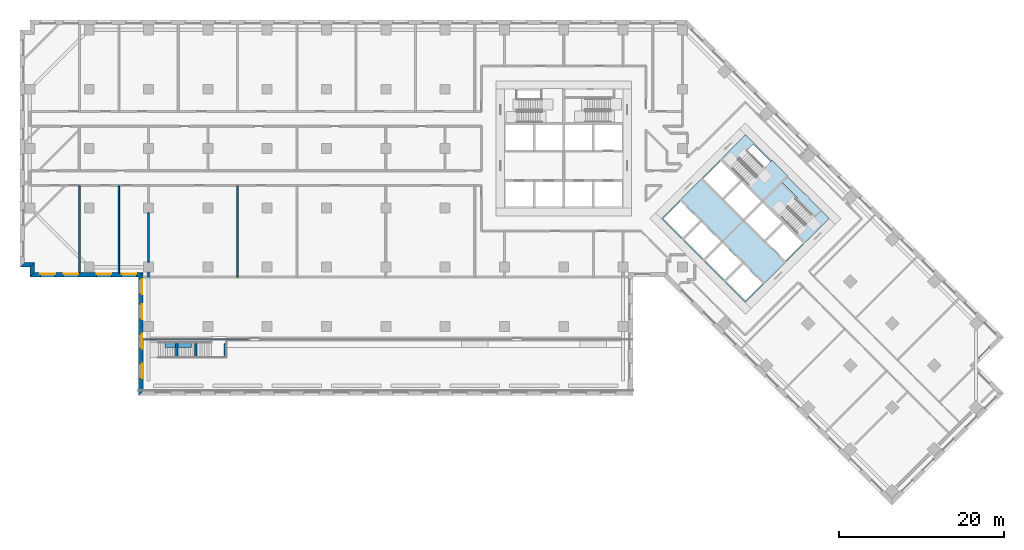
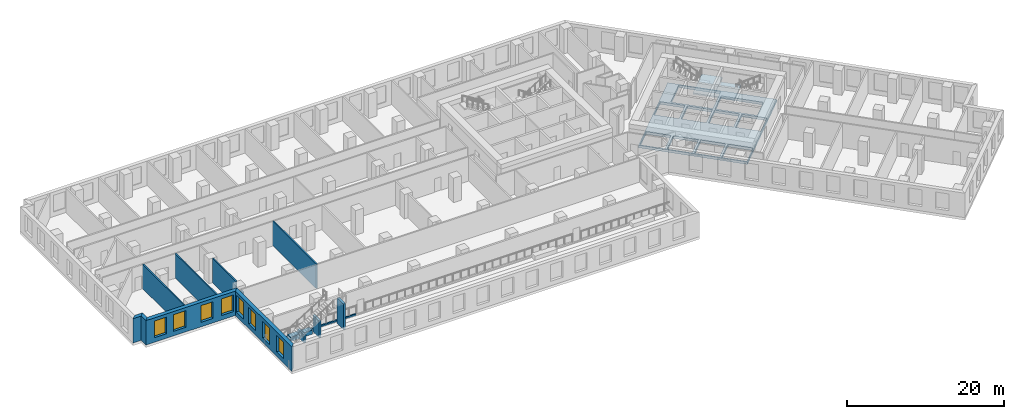
# One storey, part 2 of 13: 14 walls, 8 windows, 3 slabs, 18 openings, 2 elements without a shape of their own.
"""IFC4 building model written with IfcOpenShell, lengths in metres."""

from ifc_helpers import new_model, si_unit, direction, frame, frame_2d, origin, place, context, subcontext, project, spatial, polyline, rectangle, outline, extrude, material, layer, layer_set, type_object, element, fill, aggregate, save


model = new_model("IFC4")

# Units and contexts
model_context = context("Model", 3, precision=1e-05, world=origin(), true_north=direction((0.0, 1.0)))
body_context = subcontext(model_context, "Body", "Model", "MODEL_VIEW")
ifc_project = project(units=[si_unit("LENGTHUNIT", "METRE"), si_unit("AREAUNIT", "SQUARE_METRE"), si_unit("VOLUMEUNIT", "CUBIC_METRE"), si_unit("PLANEANGLEUNIT", "RADIAN"), si_unit("MASSUNIT", "GRAM", prefix="KILO")], contexts=[model_context])

# Site, building, storey
site_placement = place(None, origin())
site = spatial("IfcSite", under=ifc_project, at=site_placement, CompositionType="ELEMENT")
building_placement = place(site_placement, origin())
building = spatial("IfcBuilding", under=site, at=building_placement, Name="Windrow Commons", CompositionType="ELEMENT")
storey_placement = place(building_placement, frame((0.0, 0.0, 14.4)))
storey = spatial("IfcBuildingStorey", under=building, at=storey_placement, Name="L03", CompositionType="ELEMENT", Elevation=14.4)

# Slab, openings
ifc_material_1 = material(Name="Concrete C60/75", Category="concrete")
ifc_layer_1 = layer(ifc_material_1, 0.4)
ifc_layer_set_1 = layer_set([ifc_layer_1], Name="CORE FLOOR SLAB 400 C60/75")
slab_type_1 = type_object("IfcSlabType", Name="CORE FLOOR SLAB 400 C60/75", PredefinedType="FLOOR", material=ifc_layer_set_1)
slab_1_placement = place(storey_placement, frame((0.0, 0.0, -0.4)))
slab_1 = element("IfcSlab", 1, at=slab_1_placement, inside=storey, type_object=slab_type_1, Name="S-L03-core-B", PredefinedType="FLOOR", context=body_context, shape_type="SweptSolid", body=[
    extrude(outline(polyline([(76.6544, 49.0897), (86.8368, 38.9074), (97.0191, 49.0897), (86.8368, 59.2721), (76.6544, 49.0897)]), holes=[polyline([(76.8665, 49.0897), (79.2, 46.7563), (81.3213, 48.8776), (78.9879, 51.2111), (76.8665, 49.0897)]), polyline([(79.4121, 46.5442), (81.7456, 44.2107), (83.8669, 46.332), (81.5335, 48.6655), (79.4121, 46.5442)]), polyline([(81.9577, 43.9986), (84.2912, 41.6651), (86.4125, 43.7864), (84.079, 46.1199), (81.9577, 43.9986)]), polyline([(84.5033, 41.453), (86.8368, 39.1195), (88.9581, 41.2409), (86.6246, 43.5743), (84.5033, 41.453)]), polyline([(81.7456, 53.9688), (84.079, 51.6353), (86.2004, 53.7566), (83.8669, 56.0901), (81.7456, 53.9688)]), polyline([(84.2912, 51.4232), (86.6246, 49.0897), (88.7459, 51.2111), (86.4125, 53.5445), (84.2912, 51.4232)]), polyline([(86.8368, 48.8776), (89.1702, 46.5442), (91.2915, 48.6655), (88.9581, 50.9989), (86.8368, 48.8776)]), polyline([(89.3823, 46.332), (91.7158, 43.9986), (93.8371, 46.1199), (91.5037, 48.4533), (89.3823, 46.332)]), polyline([(85.0336, 55.3476), (88.9581, 51.4232), (91.7158, 54.1809), (87.7913, 58.1054), (85.0336, 55.3476)]), polyline([(89.1702, 51.2111), (93.0946, 47.2866), (95.1841, 49.3761), (91.2597, 53.3006), (89.1702, 51.2111)])]), origin(), (0.0, 0.0, 1.0), 0.4),
])
opening_1_placement = place(slab_1_placement, origin())
element("IfcOpeningElement", 2, at=opening_1_placement, cuts=slab_1, Name="Slab opening S-L03-core-B 1", PredefinedType="OPENING", context=body_context, shape_type="SweptSolid", body=[
    extrude(outline(polyline([(76.8736, 49.0897), (78.9879, 51.204), (81.3142, 48.8776), (79.2, 46.7634), (76.8736, 49.0897)])), origin(), (0.0, 0.0, 1.0), 0.4),
])
opening_2_placement = place(slab_1_placement, origin())
element("IfcOpeningElement", 3, at=opening_2_placement, cuts=slab_1, Name="Slab opening S-L03-core-B 2", PredefinedType="OPENING", context=body_context, shape_type="SweptSolid", body=[
    extrude(outline(polyline([(79.4192, 46.5442), (81.5335, 48.6584), (83.8598, 46.332), (81.7456, 44.2178), (79.4192, 46.5442)])), origin(), (0.0, 0.0, 1.0), 0.4),
])
opening_3_placement = place(slab_1_placement, origin())
element("IfcOpeningElement", 4, at=opening_3_placement, cuts=slab_1, Name="Slab opening S-L03-core-B 3", PredefinedType="OPENING", context=body_context, shape_type="SweptSolid", body=[
    extrude(outline(polyline([(81.9648, 43.9986), (84.079, 46.1128), (86.4054, 43.7864), (84.2912, 41.6722), (81.9648, 43.9986)])), origin(), (0.0, 0.0, 1.0), 0.4),
])
opening_4_placement = place(slab_1_placement, origin())
element("IfcOpeningElement", 5, at=opening_4_placement, cuts=slab_1, Name="Slab opening S-L03-core-B 4", PredefinedType="OPENING", context=body_context, shape_type="SweptSolid", body=[
    extrude(outline(polyline([(84.5104, 41.453), (86.6246, 43.5672), (88.951, 41.2409), (86.8368, 39.1266), (84.5104, 41.453)])), origin(), (0.0, 0.0, 1.0), 0.4),
])
opening_5_placement = place(slab_1_placement, origin())
element("IfcOpeningElement", 6, at=opening_5_placement, cuts=slab_1, Name="Slab opening S-L03-core-B 5", PredefinedType="OPENING", context=body_context, shape_type="SweptSolid", body=[
    extrude(outline(polyline([(81.7527, 53.9688), (83.8669, 56.083), (86.1933, 53.7566), (84.079, 51.6424), (81.7527, 53.9688)])), origin(), (0.0, 0.0, 1.0), 0.4),
])
opening_6_placement = place(slab_1_placement, origin())
element("IfcOpeningElement", 7, at=opening_6_placement, cuts=slab_1, Name="Slab opening S-L03-core-B 6", PredefinedType="OPENING", context=body_context, shape_type="SweptSolid", body=[
    extrude(outline(polyline([(84.2983, 51.4232), (86.4125, 53.5374), (88.7388, 51.2111), (86.6246, 49.0968), (84.2983, 51.4232)])), origin(), (0.0, 0.0, 1.0), 0.4),
])
opening_7_placement = place(slab_1_placement, origin())
element("IfcOpeningElement", 8, at=opening_7_placement, cuts=slab_1, Name="Slab opening S-L03-core-B 7", PredefinedType="OPENING", context=body_context, shape_type="SweptSolid", body=[
    extrude(outline(polyline([(86.8439, 48.8776), (88.9581, 50.9918), (91.2844, 48.6655), (89.1702, 46.5513), (86.8439, 48.8776)])), origin(), (0.0, 0.0, 1.0), 0.4),
])
opening_8_placement = place(slab_1_placement, origin())
element("IfcOpeningElement", 9, at=opening_8_placement, cuts=slab_1, Name="Slab opening S-L03-core-B 8", PredefinedType="OPENING", context=body_context, shape_type="SweptSolid", body=[
    extrude(outline(polyline([(89.3894, 46.332), (91.5037, 48.4462), (93.83, 46.1199), (91.7158, 44.0057), (89.3894, 46.332)])), origin(), (0.0, 0.0, 1.0), 0.4),
])
opening_9_placement = place(slab_1_placement, origin())
element("IfcOpeningElement", 10, at=opening_9_placement, cuts=slab_1, Name="Slab opening S-L03-core-B 9", PredefinedType="OPENING", context=body_context, shape_type="SweptSolid", body=[
    extrude(outline(polyline([(85.0407, 55.3476), (87.7913, 58.0983), (91.7087, 54.1809), (88.9581, 51.4303), (85.0407, 55.3476)])), origin(), (0.0, 0.0, 1.0), 0.4),
])
opening_10_placement = place(slab_1_placement, origin())
element("IfcOpeningElement", 11, at=opening_10_placement, cuts=slab_1, Name="Slab opening S-L03-core-B 10", PredefinedType="OPENING", context=body_context, shape_type="SweptSolid", body=[
    extrude(outline(polyline([(89.1773, 51.2111), (91.2597, 53.2935), (95.177, 49.3761), (93.0946, 47.2937), (89.1773, 51.2111)])), origin(), (0.0, 0.0, 1.0), 0.4),
])

# Stair, slab
ifc_material_2 = material(Name="Concrete C40/50", Category="concrete")
stair_type = type_object("IfcStairType", Name="Core stair", PredefinedType="HALF_TURN_STAIR", material=ifc_material_2)
placement_1 = place(storey_placement, origin())
stair_1 = element("IfcStair", 12, at=placement_1, inside=storey, type_object=stair_type, Name="L03 Exit stair B1 core B", PredefinedType="HALF_TURN_STAIR")
ifc_material_3 = material(Name="Concrete C40/50", Category="concrete")
ifc_layer_2 = layer(ifc_material_3, 0.2)
ifc_layer_set_2 = layer_set([ifc_layer_2], Name="Core stair landing")
slab_type_2 = type_object("IfcSlabType", Name="Core stair landing", PredefinedType="LANDING", material=ifc_layer_set_2)
placement_2 = place(storey_placement, frame((0.0, 0.0, 1.9)))
slab_2 = element("IfcSlab", 13, at=placement_2, type_object=slab_type_2, Name="ST-B1 landing 1", PredefinedType="LANDING", context=body_context, shape_type="SweptSolid", body=[
    extrude(outline(polyline([(86.9499, 53.0778), (88.8874, 51.1403), (91.9986, 54.2516), (90.0612, 56.1891), (86.9499, 53.0778)])), origin(), (0.0, 0.0, 1.0), 0.2),
])
aggregate(stair_1, [slab_2])

stair_2 = element("IfcStair", 14, at=placement_1, inside=storey, type_object=stair_type, Name="L03 Exit stair B2 core B", PredefinedType="HALF_TURN_STAIR")
slab_3 = element("IfcSlab", 15, at=placement_2, type_object=slab_type_2, Name="ST-B2 landing 1", PredefinedType="LANDING", context=body_context, shape_type="SweptSolid", body=[
    extrude(outline(polyline([(88.8874, 51.1403), (90.8248, 49.2029), (93.1971, 51.5752), (91.2597, 53.5127), (88.8874, 51.1403)])), origin(), (0.0, 0.0, 1.0), 0.2),
])
aggregate(stair_2, [slab_3])

# Walls
ifc_material_4 = material(Name="Brick masonry, red clay brick", Category="masonry")
ifc_layer_3 = layer(ifc_material_4, 0.55)
ifc_layer_set_3 = layer_set([ifc_layer_3], Name="Brick facade wall 550")
wall_type_1 = type_object("IfcWallType", Name="Brick facade wall 550", PredefinedType="SOLIDWALL", material=ifc_layer_set_3)
wall_1_placement = place(storey_placement, frame((-0.925, 43.475, 0.0), z_axis=(0.0, 0.0, 1.0), x_axis=(1.0, 0.0, 0.0)))
element("IfcWall", 16, at=wall_1_placement, inside=storey, type_object=wall_type_1, Name="Brick facade wall L03 9", PredefinedType="SOLIDWALL", context=body_context, shape_type="SweptSolid", body=[
    extrude(outline(polyline([(-0.275, -0.275), (0.925, -0.275), (1.475, 0.275), (0.275, 0.275), (-0.275, -0.275)])), origin(), (0.0, 0.0, 1.0), 3.8),
])
wall_2_placement = place(storey_placement, frame((0.275, 43.475, 0.0), z_axis=(0.0, 0.0, 1.0), x_axis=(0.0, -1.0, 0.0)))
element("IfcWall", 17, at=wall_2_placement, inside=storey, type_object=wall_type_1, Name="Brick facade wall L03 10", PredefinedType="SOLIDWALL", context=body_context, shape_type="SweptSolid", body=[
    extrude(outline(polyline([(0.275, -0.275), (1.475, -0.275), (0.925, 0.275), (-0.275, 0.275), (0.275, -0.275)])), origin(), (0.0, 0.0, 1.0), 3.8),
])

# Wall, openings, windows
wall_3_placement = place(storey_placement, frame((0.275, 42.275, 0.0), z_axis=(0.0, 0.0, 1.0), x_axis=(1.0, 0.0, 0.0)))
wall_3 = element("IfcWall", 18, at=wall_3_placement, inside=storey, type_object=wall_type_1, Name="Brick facade wall L03 11", PredefinedType="SOLIDWALL", context=body_context, shape_type="SweptSolid", body=[
    extrude(outline(polyline([(-0.275, -0.275), (12.925, -0.275), (13.475, 0.275), (0.275, 0.275), (-0.275, -0.275)])), origin(), (0.0, 0.0, 1.0), 3.8),
])
opening_11_placement = place(wall_3_placement, frame((1.0, 0.0, 0.7)))
opening_11 = element("IfcOpeningElement", 19, at=opening_11_placement, cuts=wall_3, Name="Opening W2", PredefinedType="OPENING", context=body_context, shape_type="SweptSolid", body=[
    extrude(rectangle(XDim=1.8, YDim=2.6, at=frame_2d((0.9, 1.3))), frame((0.0, 0.285, 0.0), z_axis=(0.0, -1.0, 0.0), x_axis=(1.0, 0.0, 0.0)), (0.0, 0.0, 1.0), 0.57),
])
opening_12_placement = place(wall_3_placement, frame((3.825, 0.0, 0.7)))
opening_12 = element("IfcOpeningElement", 20, at=opening_12_placement, cuts=wall_3, Name="Opening W2", PredefinedType="OPENING", context=body_context, shape_type="SweptSolid", body=[
    extrude(rectangle(XDim=1.8, YDim=2.6, at=frame_2d((0.9, 1.3))), frame((0.0, 0.285, 0.0), z_axis=(0.0, -1.0, 0.0), x_axis=(1.0, 0.0, 0.0)), (0.0, 0.0, 1.0), 0.57),
])
opening_13_placement = place(wall_3_placement, frame((7.825, 0.0, 0.7)))
opening_13 = element("IfcOpeningElement", 21, at=opening_13_placement, cuts=wall_3, Name="Opening W2", PredefinedType="OPENING", context=body_context, shape_type="SweptSolid", body=[
    extrude(rectangle(XDim=1.8, YDim=2.6, at=frame_2d((0.9, 1.3))), frame((0.0, 0.285, 0.0), z_axis=(0.0, -1.0, 0.0), x_axis=(1.0, 0.0, 0.0)), (0.0, 0.0, 1.0), 0.57),
])
opening_14_placement = place(wall_3_placement, frame((10.8625, 0.0, 0.7)))
opening_14 = element("IfcOpeningElement", 22, at=opening_14_placement, cuts=wall_3, Name="Opening W2", PredefinedType="OPENING", context=body_context, shape_type="SweptSolid", body=[
    extrude(rectangle(XDim=1.8, YDim=2.6, at=frame_2d((0.9, 1.3))), frame((0.0, 0.285, 0.0), z_axis=(0.0, -1.0, 0.0), x_axis=(1.0, 0.0, 0.0)), (0.0, 0.0, 1.0), 0.57),
])
ifc_material_5 = material(Name="Clear float glass in anodised aluminium frame", Category="aluminium")
window_type = type_object("IfcWindowType", Name="Window W2 podium 1800x2600", PartitioningType="SINGLE_PANEL", PredefinedType="WINDOW", material=ifc_material_5)
window_1_placement = place(opening_11_placement, origin())
window_1 = element("IfcWindow", 23, at=window_1_placement, inside=storey, type_object=window_type, Name="Window L03 11.1", OverallHeight=2.6, OverallWidth=1.8, PartitioningType="SINGLE_PANEL", PredefinedType="WINDOW", context=body_context, shape_type="SweptSolid", body=[
    extrude(rectangle(XDim=1.8, YDim=2.6, at=frame_2d((0.9, 1.3))), frame((0.0, 0.155, 0.0), z_axis=(0.0, -1.0, 0.0), x_axis=(1.0, 0.0, 0.0)), (0.0, 0.0, 1.0), 0.06),
])
fill(opening_11, window_1)
window_2_placement = place(opening_12_placement, origin())
window_2 = element("IfcWindow", 24, at=window_2_placement, inside=storey, type_object=window_type, Name="Window L03 11.2", OverallHeight=2.6, OverallWidth=1.8, PartitioningType="SINGLE_PANEL", PredefinedType="WINDOW", context=body_context, shape_type="SweptSolid", body=[
    extrude(rectangle(XDim=1.8, YDim=2.6, at=frame_2d((0.9, 1.3))), frame((0.0, 0.155, 0.0), z_axis=(0.0, -1.0, 0.0), x_axis=(1.0, 0.0, 0.0)), (0.0, 0.0, 1.0), 0.06),
])
fill(opening_12, window_2)
window_3_placement = place(opening_13_placement, origin())
window_3 = element("IfcWindow", 25, at=window_3_placement, inside=storey, type_object=window_type, Name="Window L03 11.3", OverallHeight=2.6, OverallWidth=1.8, PartitioningType="SINGLE_PANEL", PredefinedType="WINDOW", context=body_context, shape_type="SweptSolid", body=[
    extrude(rectangle(XDim=1.8, YDim=2.6, at=frame_2d((0.9, 1.3))), frame((0.0, 0.155, 0.0), z_axis=(0.0, -1.0, 0.0), x_axis=(1.0, 0.0, 0.0)), (0.0, 0.0, 1.0), 0.06),
])
fill(opening_13, window_3)
window_4_placement = place(opening_14_placement, origin())
window_4 = element("IfcWindow", 26, at=window_4_placement, inside=storey, type_object=window_type, Name="Window L03 11.4", OverallHeight=2.6, OverallWidth=1.8, PartitioningType="SINGLE_PANEL", PredefinedType="WINDOW", context=body_context, shape_type="SweptSolid", body=[
    extrude(rectangle(XDim=1.8, YDim=2.6, at=frame_2d((0.9, 1.3))), frame((0.0, 0.155, 0.0), z_axis=(0.0, -1.0, 0.0), x_axis=(1.0, 0.0, 0.0)), (0.0, 0.0, 1.0), 0.06),
])
fill(opening_14, window_4)

wall_4_placement = place(storey_placement, frame((13.475, 42.275, 0.0), z_axis=(0.0, 0.0, 1.0), x_axis=(0.0, -1.0, 0.0)))
wall_4 = element("IfcWall", 27, at=wall_4_placement, inside=storey, type_object=wall_type_1, Name="Brick facade wall L03 12", PredefinedType="SOLIDWALL", context=body_context, shape_type="SweptSolid", body=[
    extrude(outline(polyline([(0.275, -0.275), (14.675, -0.275), (14.125, 0.275), (-0.275, 0.275), (0.275, -0.275)])), origin(), (0.0, 0.0, 1.0), 3.8),
])
opening_15_placement = place(wall_4_placement, frame((0.5375, 0.0, 0.7)))
opening_15 = element("IfcOpeningElement", 28, at=opening_15_placement, cuts=wall_4, Name="Opening W2", PredefinedType="OPENING", context=body_context, shape_type="SweptSolid", body=[
    extrude(rectangle(XDim=1.8, YDim=2.6, at=frame_2d((0.9, 1.3))), frame((0.0, 0.285, 0.0), z_axis=(0.0, -1.0, 0.0), x_axis=(1.0, 0.0, 0.0)), (0.0, 0.0, 1.0), 0.57),
])
opening_16_placement = place(wall_4_placement, frame((3.575, 0.0, 0.7)))
opening_16 = element("IfcOpeningElement", 29, at=opening_16_placement, cuts=wall_4, Name="Opening W2", PredefinedType="OPENING", context=body_context, shape_type="SweptSolid", body=[
    extrude(rectangle(XDim=1.8, YDim=2.6, at=frame_2d((0.9, 1.3))), frame((0.0, 0.285, 0.0), z_axis=(0.0, -1.0, 0.0), x_axis=(1.0, 0.0, 0.0)), (0.0, 0.0, 1.0), 0.57),
])
opening_17_placement = place(wall_4_placement, frame((7.175, 0.0, 0.7)))
opening_17 = element("IfcOpeningElement", 30, at=opening_17_placement, cuts=wall_4, Name="Opening W2", PredefinedType="OPENING", context=body_context, shape_type="SweptSolid", body=[
    extrude(rectangle(XDim=1.8, YDim=2.6, at=frame_2d((0.9, 1.3))), frame((0.0, 0.285, 0.0), z_axis=(0.0, -1.0, 0.0), x_axis=(1.0, 0.0, 0.0)), (0.0, 0.0, 1.0), 0.57),
])
opening_18_placement = place(wall_4_placement, frame((10.775, 0.0, 0.7)))
opening_18 = element("IfcOpeningElement", 31, at=opening_18_placement, cuts=wall_4, Name="Opening W2", PredefinedType="OPENING", context=body_context, shape_type="SweptSolid", body=[
    extrude(rectangle(XDim=1.8, YDim=2.6, at=frame_2d((0.9, 1.3))), frame((0.0, 0.285, 0.0), z_axis=(0.0, -1.0, 0.0), x_axis=(1.0, 0.0, 0.0)), (0.0, 0.0, 1.0), 0.57),
])
window_5_placement = place(opening_15_placement, origin())
window_5 = element("IfcWindow", 32, at=window_5_placement, inside=storey, type_object=window_type, Name="Window L03 12.1", OverallHeight=2.6, OverallWidth=1.8, PartitioningType="SINGLE_PANEL", PredefinedType="WINDOW", context=body_context, shape_type="SweptSolid", body=[
    extrude(rectangle(XDim=1.8, YDim=2.6, at=frame_2d((0.9, 1.3))), frame((0.0, 0.155, 0.0), z_axis=(0.0, -1.0, 0.0), x_axis=(1.0, 0.0, 0.0)), (0.0, 0.0, 1.0), 0.06),
])
fill(opening_15, window_5)
window_6_placement = place(opening_16_placement, origin())
window_6 = element("IfcWindow", 33, at=window_6_placement, inside=storey, type_object=window_type, Name="Window L03 12.2", OverallHeight=2.6, OverallWidth=1.8, PartitioningType="SINGLE_PANEL", PredefinedType="WINDOW", context=body_context, shape_type="SweptSolid", body=[
    extrude(rectangle(XDim=1.8, YDim=2.6, at=frame_2d((0.9, 1.3))), frame((0.0, 0.155, 0.0), z_axis=(0.0, -1.0, 0.0), x_axis=(1.0, 0.0, 0.0)), (0.0, 0.0, 1.0), 0.06),
])
fill(opening_16, window_6)
window_7_placement = place(opening_17_placement, origin())
window_7 = element("IfcWindow", 34, at=window_7_placement, inside=storey, type_object=window_type, Name="Window L03 12.3", OverallHeight=2.6, OverallWidth=1.8, PartitioningType="SINGLE_PANEL", PredefinedType="WINDOW", context=body_context, shape_type="SweptSolid", body=[
    extrude(rectangle(XDim=1.8, YDim=2.6, at=frame_2d((0.9, 1.3))), frame((0.0, 0.155, 0.0), z_axis=(0.0, -1.0, 0.0), x_axis=(1.0, 0.0, 0.0)), (0.0, 0.0, 1.0), 0.06),
])
fill(opening_17, window_7)
window_8_placement = place(opening_18_placement, origin())
window_8 = element("IfcWindow", 35, at=window_8_placement, inside=storey, type_object=window_type, Name="Window L03 12.4", OverallHeight=2.6, OverallWidth=1.8, PartitioningType="SINGLE_PANEL", PredefinedType="WINDOW", context=body_context, shape_type="SweptSolid", body=[
    extrude(rectangle(XDim=1.8, YDim=2.6, at=frame_2d((0.9, 1.3))), frame((0.0, 0.155, 0.0), z_axis=(0.0, -1.0, 0.0), x_axis=(1.0, 0.0, 0.0)), (0.0, 0.0, 1.0), 0.06),
])
fill(opening_18, window_8)

# Walls
ifc_material_6 = material(Name="Blockwork partition", Category="masonry")
ifc_layer_4 = layer(ifc_material_6, 0.2)
ifc_layer_set_4 = layer_set([ifc_layer_4], Name="IW-PARTY-200")
wall_type_2 = type_object("IfcWallType", Name="IW-PARTY-200", PredefinedType="PARTITIONING", material=ifc_layer_set_4)
wall_5_placement = place(storey_placement, frame((25.2, 42.0, 0.0), z_axis=(0.0, 0.0, 1.0), x_axis=(0.0, 1.0, 0.0)))
element("IfcWall", 36, at=wall_5_placement, inside=storey, type_object=wall_type_2, Name="W-L03-W009", PredefinedType="PARTITIONING", context=body_context, shape_type="SweptSolid", body=[
    extrude(rectangle(XDim=11.1, YDim=0.2, at=frame_2d((5.55, 0.0))), origin(), (0.0, 0.0, 1.0), 3.8),
])
for number, where, z_axis, x_axis, name in (
    (37, (6.03, 42.55, 0.0), (0.0, 0.0, 1.0), (0.0, 1.0, 0.0), "W-L03-W015"),
    (38, (10.8, 42.55, 0.0), (0.0, 0.0, 1.0), (0.0, 1.0, 0.0), "W-L03-W016"),
):
    element("IfcWall", number, at=place(storey_placement, frame(where, z_axis=z_axis, x_axis=x_axis)), inside=storey, type_object=wall_type_2, Name=name, PredefinedType="PARTITIONING", context=body_context, shape_type="SweptSolid", body=[
        extrude(rectangle(XDim=10.55, YDim=0.2, at=frame_2d((5.275, 0.0))), origin(), (0.0, 0.0, 1.0), 3.8),
    ])
wall_6_placement = place(storey_placement, frame((14.4, 43.8, 0.0), z_axis=(0.0, 0.0, 1.0), x_axis=(0.0, 1.0, 0.0)))
element("IfcWall", 39, at=wall_6_placement, inside=storey, type_object=wall_type_2, Name="W-L03-W035", PredefinedType="PARTITIONING", context=body_context, shape_type="SweptSolid", body=[
    extrude(rectangle(XDim=6.0, YDim=0.2, at=frame_2d((3.0, 0.0))), origin(), (0.0, 0.0, 1.0), 3.8),
])
wall_7_placement = place(storey_placement, frame((14.4, 42.0, 0.0), z_axis=(0.0, 0.0, 1.0), x_axis=(0.0, 1.0, 0.0)))
element("IfcWall", 40, at=wall_7_placement, inside=storey, type_object=wall_type_2, Name="W-L03-W108", PredefinedType="PARTITIONING", context=body_context, shape_type="SweptSolid", body=[
    extrude(rectangle(XDim=0.6, YDim=0.2, at=frame_2d((0.3, 0.0))), origin(), (0.0, 0.0, 1.0), 3.2),
])
ifc_material_7 = material(Name="Concrete C30/37 planter wall", Category="concrete")
ifc_layer_5 = layer(ifc_material_7, 0.8)
ifc_layer_set_5 = layer_set([ifc_layer_5], Name="Planter 800x600")
wall_type_3 = type_object("IfcWallType", Name="Planter 800x600", PredefinedType="SOLIDWALL", material=ifc_layer_set_5)
wall_8_placement = place(storey_placement, frame((19.6068, 33.85, 0.0), z_axis=(0.0, 0.0, 1.0), x_axis=(-1.0, 0.0, 0.0)))
element("IfcWall", 41, at=wall_8_placement, inside=storey, type_object=wall_type_3, Name="PLANTER TR-L03-1.1", PredefinedType="SOLIDWALL", context=body_context, shape_type="SweptSolid", body=[
    extrude(outline(polyline([(0.0, -0.4), (3.2136, -0.4), (3.2136, 0.4), (0.0, 0.4), (0.0, -0.4)])), origin(), (0.0, 0.0, 1.0), 0.65),
])
ifc_material_8 = material(Name="Concrete C40/50", Category="concrete")
ifc_layer_6 = layer(ifc_material_8, 0.3)
ifc_layer_set_6 = layer_set([ifc_layer_6], Name="Stair support wall 300")
wall_type_4 = type_object("IfcWallType", Name="Stair support wall 300", PredefinedType="SOLIDWALL", material=ifc_layer_set_6)
wall_9_placement = place(storey_placement, frame((23.69, 33.95, 0.0), z_axis=(0.0, 0.0, 1.0), x_axis=(0.0, -1.0, 0.0)))
element("IfcWall", 42, at=wall_9_placement, inside=storey, type_object=wall_type_4, Name="Stair support wall L03.1", PredefinedType="SOLIDWALL", context=body_context, shape_type="SweptSolid", body=[
    extrude(rectangle(XDim=1.6, YDim=0.3, at=frame_2d((0.8, 0.0))), origin(), (0.0, 0.0, 1.0), 4.0),
])
wall_10_placement = place(storey_placement, frame((20.108, 33.95, 0.0), z_axis=(0.0, 0.0, 1.0), x_axis=(0.0, -1.0, 0.0)))
element("IfcWall", 43, at=wall_10_placement, inside=storey, type_object=wall_type_4, Name="Stair support wall L03.2", PredefinedType="SOLIDWALL", context=body_context, shape_type="SweptSolid", body=[
    extrude(rectangle(XDim=1.6, YDim=0.3, at=frame_2d((0.8, 0.0))), origin(), (0.0, 0.0, 1.0), 2.6175),
])
wall_11_placement = place(storey_placement, frame((17.854, 33.95, 0.0), z_axis=(0.0, 0.0, 1.0), x_axis=(0.0, -1.0, 0.0)))
element("IfcWall", 44, at=wall_11_placement, inside=storey, type_object=wall_type_4, Name="Stair support wall L03.3", PredefinedType="SOLIDWALL", context=body_context, shape_type="SweptSolid", body=[
    extrude(rectangle(XDim=1.6, YDim=0.3, at=frame_2d((0.8, 0.0))), origin(), (0.0, 0.0, 1.0), 1.2087),
])
ifc_material_9 = material(Name="Brick masonry, red clay brick", Category="masonry")
ifc_layer_7 = layer(ifc_material_9, 0.2)
ifc_layer_set_7 = layer_set([ifc_layer_7], Name="Terrace edge parapet 200")
wall_type_5 = type_object("IfcWallType", Name="Terrace edge parapet 200", PredefinedType="PARAPET", material=ifc_layer_set_7)
wall_12_placement = place(storey_placement, frame((26.53, 34.4, 0.0), z_axis=(0.0, 0.0, 1.0), x_axis=(-1.0, 0.0, 0.0)))
element("IfcWall", 45, at=wall_12_placement, inside=storey, type_object=wall_type_5, Name="Terrace parapet TR-L03-1.1.1", PredefinedType="PARAPET", context=body_context, shape_type="SweptSolid", body=[
    extrude(outline(polyline([(0.0, -0.1), (12.78, -0.1), (12.78, 0.1), (0.0, 0.1), (0.0, -0.1)])), origin(), (0.0, 0.0, 1.0), 0.25),
])

save(model, "model.ifc")
